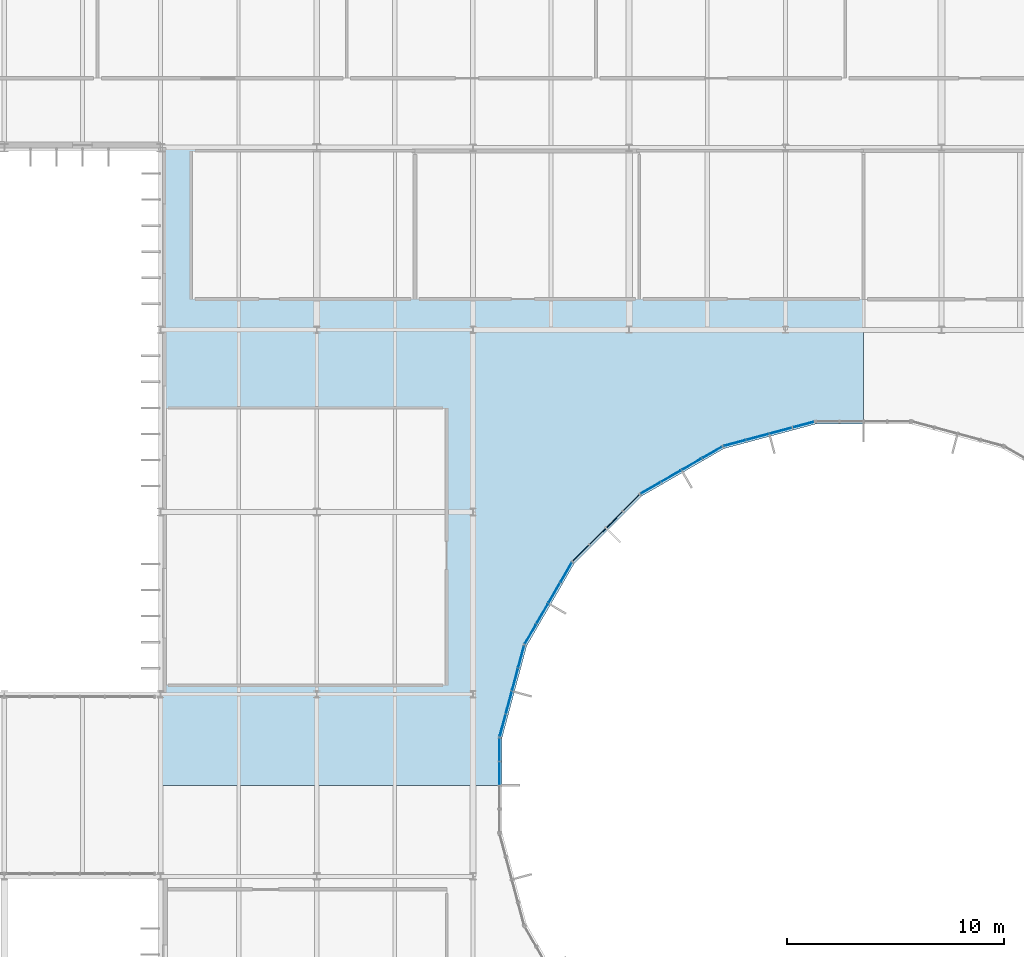
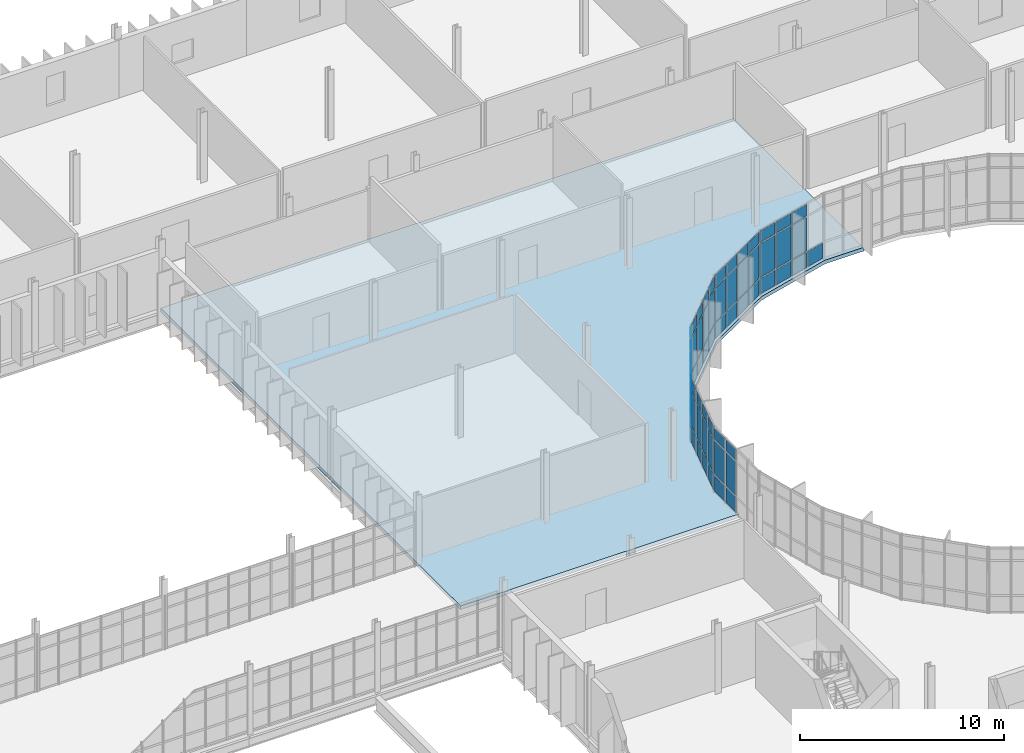
# One storey, part 77 of 119: 64 plates, 1 slab, 6 elements without a shape of their own.
"""IFC4 building model written with IfcOpenShell, lengths in metres."""

from ifc_helpers import new_model, si_unit, direction, frame, origin, origin_2d, place, context, subcontext, project, spatial, polyline, rectangle, outline, extrude, material, layer, layer_set, type_object, element, aggregate, save


model = new_model("IFC4")

# Units and contexts
model_context = context("Model", 3, precision=1e-05, world=origin(), true_north=direction((0.0, 1.0)))
body_context = subcontext(model_context, "Body", "Model", "MODEL_VIEW")
ifc_project = project(units=[si_unit("LENGTHUNIT", "METRE"), si_unit("AREAUNIT", "SQUARE_METRE"), si_unit("VOLUMEUNIT", "CUBIC_METRE"), si_unit("PLANEANGLEUNIT", "RADIAN"), si_unit("MASSUNIT", "GRAM", prefix="KILO")], contexts=[model_context])

# Site, building, storey
site_placement = place(None, origin())
site = spatial("IfcSite", under=ifc_project, at=site_placement, CompositionType="ELEMENT")
building_placement = place(site_placement, origin())
building = spatial("IfcBuilding", under=site, at=building_placement, Name="Qelthora Terrace Specialist Clinic", CompositionType="ELEMENT")
storey_placement = place(building_placement, frame((0.0, 0.0, 4.800048828125)))
storey = spatial("IfcBuildingStorey", under=building, at=storey_placement, Name="L01", CompositionType="ELEMENT", Elevation=4.800048828125)

# Curtain wall, plates
ifc_material_1 = material(Name="Aluminium anodized bronze", Category="aluminium")
curtain_wall_type = type_object("IfcCurtainWallType", Name="CW-CRTE-UPP", PredefinedType="NOTDEFINED", material=ifc_material_1)
curtain_wall_1_placement = place(storey_placement, origin())
curtain_wall_1 = element("IfcCurtainWall", 1, at=curtain_wall_1_placement, inside=storey, type_object=curtain_wall_type, Name="Curtain wall CW-CE-L01-07", PredefinedType="NOTDEFINED")
ifc_material_2 = material(Name="Low-E triple-silver insulating glass", Category="glass")
ifc_layer_1 = layer(ifc_material_2, 0.035888671875)
ifc_layer_set_1 = layer_set([ifc_layer_1], Name="Low-E triple-silver insulating glass")
plate_type = type_object("IfcPlateType", Name="CWP-IGU-36", PredefinedType="CURTAIN_PANEL", material=ifc_layer_set_1)
plate_1_placement = place(storey_placement, frame((123.24658203125, 79.63037109375, 0.0849609375), z_axis=(0.0, 0.0, 1.0), x_axis=(-0.965925826289, -0.258819045103, 0.0)))
plate_1 = element("IfcPlate", 2, at=plate_1_placement, type_object=plate_type, Name="CW-CE-L01-07 glazed panel 1", PredefinedType="CURTAIN_PANEL", context=body_context, shape_type="SweptSolid", body=[
    extrude(rectangle(XDim=0.996337890625, YDim=0.035888671875, at=origin_2d()), origin(), (0.0, 0.0, 1.0), 0.919921875),
])
plate_2_placement = place(storey_placement, frame((122.1875, 79.346435546875, 0.0849609375), z_axis=(0.0, 0.0, 1.0), x_axis=(-0.965925826289, -0.258819045103, 0.0)))
plate_2 = element("IfcPlate", 3, at=plate_2_placement, type_object=plate_type, Name="CW-CE-L01-07 glazed panel 4", PredefinedType="CURTAIN_PANEL", context=body_context, shape_type="SweptSolid", body=[
    extrude(rectangle(XDim=0.996337890625, YDim=0.035888671875, at=origin_2d()), origin(), (0.0, 0.0, 1.0), 0.919921875),
])
plate_3_placement = place(storey_placement, frame((122.1875, 79.346435546875, 1.094970703125), z_axis=(0.0, 0.0, 1.0), x_axis=(-0.965925826289, -0.258819045103, 0.0)))
plate_3 = element("IfcPlate", 4, at=plate_3_placement, type_object=plate_type, Name="CW-CE-L01-07 glazed panel 5", PredefinedType="CURTAIN_PANEL", context=body_context, shape_type="SweptSolid", body=[
    extrude(rectangle(XDim=0.996337890625, YDim=0.035888671875, at=origin_2d()), origin(), (0.0, 0.0, 1.0), 2.0048828125),
])
plate_4_placement = place(storey_placement, frame((122.1875, 79.346435546875, 3.18994140625), z_axis=(0.0, 0.0, 1.0), x_axis=(-0.965925826289, -0.258819045103, 0.0)))
plate_4 = element("IfcPlate", 5, at=plate_4_placement, type_object=plate_type, Name="CW-CE-L01-07 glazed panel 6", PredefinedType="CURTAIN_PANEL", context=body_context, shape_type="SweptSolid", body=[
    extrude(rectangle(XDim=0.996337890625, YDim=0.035888671875, at=origin_2d()), origin(), (0.0, 0.0, 1.0), 0.669921875),
])
plate_5_placement = place(storey_placement, frame((121.12841796875, 79.062744140625, 0.0849609375), z_axis=(0.0, 0.0, 1.0), x_axis=(-0.965925826289, -0.258819045103, 0.0)))
plate_5 = element("IfcPlate", 6, at=plate_5_placement, type_object=plate_type, Name="CW-CE-L01-07 glazed panel 7", PredefinedType="CURTAIN_PANEL", context=body_context, shape_type="SweptSolid", body=[
    extrude(rectangle(XDim=0.996337890625, YDim=0.035888671875, at=origin_2d()), origin(), (0.0, 0.0, 1.0), 0.919921875),
])
plate_6_placement = place(storey_placement, frame((121.12841796875, 79.062744140625, 1.094970703125), z_axis=(0.0, 0.0, 1.0), x_axis=(-0.965925826289, -0.258819045103, 0.0)))
plate_6 = element("IfcPlate", 7, at=plate_6_placement, type_object=plate_type, Name="CW-CE-L01-07 glazed panel 8", PredefinedType="CURTAIN_PANEL", context=body_context, shape_type="SweptSolid", body=[
    extrude(rectangle(XDim=0.996337890625, YDim=0.035888671875, at=origin_2d()), origin(), (0.0, 0.0, 1.0), 2.0048828125),
])
plate_7_placement = place(storey_placement, frame((121.12841796875, 79.062744140625, 3.18994140625), z_axis=(0.0, 0.0, 1.0), x_axis=(-0.965925826289, -0.258819045103, 0.0)))
plate_7 = element("IfcPlate", 8, at=plate_7_placement, type_object=plate_type, Name="CW-CE-L01-07 glazed panel 9", PredefinedType="CURTAIN_PANEL", context=body_context, shape_type="SweptSolid", body=[
    extrude(rectangle(XDim=0.996337890625, YDim=0.035888671875, at=origin_2d()), origin(), (0.0, 0.0, 1.0), 0.669921875),
])
plate_8_placement = place(storey_placement, frame((120.0693359375, 78.779052734375, 0.0849609375), z_axis=(0.0, 0.0, 1.0), x_axis=(-0.965925826289, -0.258819045103, 0.0)))
plate_8 = element("IfcPlate", 9, at=plate_8_placement, type_object=plate_type, Name="CW-CE-L01-07 glazed panel 10", PredefinedType="CURTAIN_PANEL", context=body_context, shape_type="SweptSolid", body=[
    extrude(rectangle(XDim=0.996337890625, YDim=0.035888671875, at=origin_2d()), origin(), (0.0, 0.0, 1.0), 0.919921875),
])
plate_9_placement = place(storey_placement, frame((120.0693359375, 78.779052734375, 1.094970703125), z_axis=(0.0, 0.0, 1.0), x_axis=(-0.965925826289, -0.258819045103, 0.0)))
plate_9 = element("IfcPlate", 10, at=plate_9_placement, type_object=plate_type, Name="CW-CE-L01-07 glazed panel 11", PredefinedType="CURTAIN_PANEL", context=body_context, shape_type="SweptSolid", body=[
    extrude(rectangle(XDim=0.996337890625, YDim=0.035888671875, at=origin_2d()), origin(), (0.0, 0.0, 1.0), 2.0048828125),
])
plate_10_placement = place(storey_placement, frame((120.0693359375, 78.779052734375, 3.18994140625), z_axis=(0.0, 0.0, 1.0), x_axis=(-0.965925826289, -0.258819045103, 0.0)))
plate_10 = element("IfcPlate", 11, at=plate_10_placement, type_object=plate_type, Name="CW-CE-L01-07 glazed panel 12", PredefinedType="CURTAIN_PANEL", context=body_context, shape_type="SweptSolid", body=[
    extrude(rectangle(XDim=0.996337890625, YDim=0.035888671875, at=origin_2d()), origin(), (0.0, 0.0, 1.0), 0.669921875),
])
aggregate(curtain_wall_1, [plate_1, plate_2, plate_3, plate_4, plate_5, plate_6, plate_7, plate_8, plate_9, plate_10])

curtain_wall_2_placement = place(storey_placement, origin())
curtain_wall_2 = element("IfcCurtainWall", 12, at=curtain_wall_2_placement, inside=storey, type_object=curtain_wall_type, Name="Curtain wall CW-CE-L01-08", PredefinedType="NOTDEFINED")
plate_11_placement = place(storey_placement, frame((119.0361328125, 78.35107421875, 0.0849609375), z_axis=(0.0, 0.0, 1.0), x_axis=(-0.866025403784, -0.5, 0.0)))
plate_11 = element("IfcPlate", 13, at=plate_11_placement, type_object=plate_type, Name="CW-CE-L01-08 glazed panel 1", PredefinedType="CURTAIN_PANEL", context=body_context, shape_type="SweptSolid", body=[
    extrude(rectangle(XDim=0.996337890625, YDim=0.035888671875, at=origin_2d()), origin(), (0.0, 0.0, 1.0), 0.919921875),
])
plate_12_placement = place(storey_placement, frame((119.0361328125, 78.35107421875, 1.094970703125), z_axis=(0.0, 0.0, 1.0), x_axis=(-0.866025403784, -0.5, 0.0)))
plate_12 = element("IfcPlate", 14, at=plate_12_placement, type_object=plate_type, Name="CW-CE-L01-08 glazed panel 2", PredefinedType="CURTAIN_PANEL", context=body_context, shape_type="SweptSolid", body=[
    extrude(rectangle(XDim=0.996337890625, YDim=0.035888671875, at=origin_2d()), origin(), (0.0, 0.0, 1.0), 2.0048828125),
])
plate_13_placement = place(storey_placement, frame((119.0361328125, 78.35107421875, 3.18994140625), z_axis=(0.0, 0.0, 1.0), x_axis=(-0.866025403784, -0.5, 0.0)))
plate_13 = element("IfcPlate", 15, at=plate_13_placement, type_object=plate_type, Name="CW-CE-L01-08 glazed panel 3", PredefinedType="CURTAIN_PANEL", context=body_context, shape_type="SweptSolid", body=[
    extrude(rectangle(XDim=0.996337890625, YDim=0.035888671875, at=origin_2d()), origin(), (0.0, 0.0, 1.0), 0.669921875),
])
plate_14_placement = place(storey_placement, frame((118.086669921875, 77.802734375, 0.0849609375), z_axis=(0.0, 0.0, 1.0), x_axis=(-0.866025403784, -0.5, 0.0)))
plate_14 = element("IfcPlate", 16, at=plate_14_placement, type_object=plate_type, Name="CW-CE-L01-08 glazed panel 4", PredefinedType="CURTAIN_PANEL", context=body_context, shape_type="SweptSolid", body=[
    extrude(rectangle(XDim=0.996337890625, YDim=0.035888671875, at=origin_2d()), origin(), (0.0, 0.0, 1.0), 0.919921875),
])
plate_15_placement = place(storey_placement, frame((118.086669921875, 77.802734375, 1.094970703125), z_axis=(0.0, 0.0, 1.0), x_axis=(-0.866025403784, -0.5, 0.0)))
plate_15 = element("IfcPlate", 17, at=plate_15_placement, type_object=plate_type, Name="CW-CE-L01-08 glazed panel 5", PredefinedType="CURTAIN_PANEL", context=body_context, shape_type="SweptSolid", body=[
    extrude(rectangle(XDim=0.996337890625, YDim=0.035888671875, at=origin_2d()), origin(), (0.0, 0.0, 1.0), 2.0048828125),
])
plate_16_placement = place(storey_placement, frame((118.086669921875, 77.802734375, 3.18994140625), z_axis=(0.0, 0.0, 1.0), x_axis=(-0.866025403784, -0.5, 0.0)))
plate_16 = element("IfcPlate", 18, at=plate_16_placement, type_object=plate_type, Name="CW-CE-L01-08 glazed panel 6", PredefinedType="CURTAIN_PANEL", context=body_context, shape_type="SweptSolid", body=[
    extrude(rectangle(XDim=0.996337890625, YDim=0.035888671875, at=origin_2d()), origin(), (0.0, 0.0, 1.0), 0.669921875),
])
plate_17_placement = place(storey_placement, frame((117.13720703125, 77.254638671875, 0.0849609375), z_axis=(0.0, 0.0, 1.0), x_axis=(-0.866025403784, -0.5, 0.0)))
plate_17 = element("IfcPlate", 19, at=plate_17_placement, type_object=plate_type, Name="CW-CE-L01-08 glazed panel 7", PredefinedType="CURTAIN_PANEL", context=body_context, shape_type="SweptSolid", body=[
    extrude(rectangle(XDim=0.996337890625, YDim=0.035888671875, at=origin_2d()), origin(), (0.0, 0.0, 1.0), 0.919921875),
])
plate_18_placement = place(storey_placement, frame((117.13720703125, 77.254638671875, 1.094970703125), z_axis=(0.0, 0.0, 1.0), x_axis=(-0.866025403784, -0.5, 0.0)))
plate_18 = element("IfcPlate", 20, at=plate_18_placement, type_object=plate_type, Name="CW-CE-L01-08 glazed panel 8", PredefinedType="CURTAIN_PANEL", context=body_context, shape_type="SweptSolid", body=[
    extrude(rectangle(XDim=0.996337890625, YDim=0.035888671875, at=origin_2d()), origin(), (0.0, 0.0, 1.0), 2.0048828125),
])
plate_19_placement = place(storey_placement, frame((117.13720703125, 77.254638671875, 3.18994140625), z_axis=(0.0, 0.0, 1.0), x_axis=(-0.866025403784, -0.5, 0.0)))
plate_19 = element("IfcPlate", 21, at=plate_19_placement, type_object=plate_type, Name="CW-CE-L01-08 glazed panel 9", PredefinedType="CURTAIN_PANEL", context=body_context, shape_type="SweptSolid", body=[
    extrude(rectangle(XDim=0.996337890625, YDim=0.035888671875, at=origin_2d()), origin(), (0.0, 0.0, 1.0), 0.669921875),
])
plate_20_placement = place(storey_placement, frame((116.1875, 76.706298828125, 0.0849609375), z_axis=(0.0, 0.0, 1.0), x_axis=(-0.866025403784, -0.5, 0.0)))
plate_20 = element("IfcPlate", 22, at=plate_20_placement, type_object=plate_type, Name="CW-CE-L01-08 glazed panel 10", PredefinedType="CURTAIN_PANEL", context=body_context, shape_type="SweptSolid", body=[
    extrude(rectangle(XDim=0.996337890625, YDim=0.035888671875, at=origin_2d()), origin(), (0.0, 0.0, 1.0), 0.919921875),
])
plate_21_placement = place(storey_placement, frame((116.1875, 76.706298828125, 1.094970703125), z_axis=(0.0, 0.0, 1.0), x_axis=(-0.866025403784, -0.5, 0.0)))
plate_21 = element("IfcPlate", 23, at=plate_21_placement, type_object=plate_type, Name="CW-CE-L01-08 glazed panel 11", PredefinedType="CURTAIN_PANEL", context=body_context, shape_type="SweptSolid", body=[
    extrude(rectangle(XDim=0.996337890625, YDim=0.035888671875, at=origin_2d()), origin(), (0.0, 0.0, 1.0), 2.0048828125),
])
plate_22_placement = place(storey_placement, frame((116.1875, 76.706298828125, 3.18994140625), z_axis=(0.0, 0.0, 1.0), x_axis=(-0.866025403784, -0.5, 0.0)))
plate_22 = element("IfcPlate", 24, at=plate_22_placement, type_object=plate_type, Name="CW-CE-L01-08 glazed panel 12", PredefinedType="CURTAIN_PANEL", context=body_context, shape_type="SweptSolid", body=[
    extrude(rectangle(XDim=0.996337890625, YDim=0.035888671875, at=origin_2d()), origin(), (0.0, 0.0, 1.0), 0.669921875),
])
aggregate(curtain_wall_2, [plate_11, plate_12, plate_13, plate_14, plate_15, plate_16, plate_17, plate_18, plate_19, plate_20, plate_21, plate_22])

curtain_wall_3_placement = place(storey_placement, origin())
curtain_wall_3 = element("IfcCurtainWall", 25, at=curtain_wall_3_placement, inside=storey, type_object=curtain_wall_type, Name="Curtain wall CW-CE-L01-09", PredefinedType="NOTDEFINED")
plate_23_placement = place(storey_placement, frame((115.30029296875, 76.025634765625, 0.0849609375), z_axis=(0.0, 0.0, 1.0), x_axis=(-0.707106781187, -0.707106781187, 0.0)))
plate_23 = element("IfcPlate", 26, at=plate_23_placement, type_object=plate_type, Name="CW-CE-L01-09 glazed panel 1", PredefinedType="CURTAIN_PANEL", context=body_context, shape_type="SweptSolid", body=[
    extrude(rectangle(XDim=0.996337890625, YDim=0.035888671875, at=origin_2d()), origin(), (0.0, 0.0, 1.0), 0.919921875),
])
plate_24_placement = place(storey_placement, frame((115.30029296875, 76.025634765625, 1.094970703125), z_axis=(0.0, 0.0, 1.0), x_axis=(-0.707106781187, -0.707106781187, 0.0)))
plate_24 = element("IfcPlate", 27, at=plate_24_placement, type_object=plate_type, Name="CW-CE-L01-09 glazed panel 2", PredefinedType="CURTAIN_PANEL", context=body_context, shape_type="SweptSolid", body=[
    extrude(rectangle(XDim=0.996337890625, YDim=0.035888671875, at=origin_2d()), origin(), (0.0, 0.0, 1.0), 2.0048828125),
])
plate_25_placement = place(storey_placement, frame((115.30029296875, 76.025634765625, 3.18994140625), z_axis=(0.0, 0.0, 1.0), x_axis=(-0.707106781187, -0.707106781187, 0.0)))
plate_25 = element("IfcPlate", 28, at=plate_25_placement, type_object=plate_type, Name="CW-CE-L01-09 glazed panel 3", PredefinedType="CURTAIN_PANEL", context=body_context, shape_type="SweptSolid", body=[
    extrude(rectangle(XDim=0.996337890625, YDim=0.035888671875, at=origin_2d()), origin(), (0.0, 0.0, 1.0), 0.669921875),
])
plate_26_placement = place(storey_placement, frame((114.525146484375, 75.250244140625, 0.0849609375), z_axis=(0.0, 0.0, 1.0), x_axis=(-0.707106781187, -0.707106781187, 0.0)))
plate_26 = element("IfcPlate", 29, at=plate_26_placement, type_object=plate_type, Name="CW-CE-L01-09 glazed panel 4", PredefinedType="CURTAIN_PANEL", context=body_context, shape_type="SweptSolid", body=[
    extrude(rectangle(XDim=0.996337890625, YDim=0.035888671875, at=origin_2d()), origin(), (0.0, 0.0, 1.0), 0.919921875),
])
plate_27_placement = place(storey_placement, frame((114.525146484375, 75.250244140625, 1.094970703125), z_axis=(0.0, 0.0, 1.0), x_axis=(-0.707106781187, -0.707106781187, 0.0)))
plate_27 = element("IfcPlate", 30, at=plate_27_placement, type_object=plate_type, Name="CW-CE-L01-09 glazed panel 5", PredefinedType="CURTAIN_PANEL", context=body_context, shape_type="SweptSolid", body=[
    extrude(rectangle(XDim=0.996337890625, YDim=0.035888671875, at=origin_2d()), origin(), (0.0, 0.0, 1.0), 2.0048828125),
])
plate_28_placement = place(storey_placement, frame((114.525146484375, 75.250244140625, 3.18994140625), z_axis=(0.0, 0.0, 1.0), x_axis=(-0.707106781187, -0.707106781187, 0.0)))
plate_28 = element("IfcPlate", 31, at=plate_28_placement, type_object=plate_type, Name="CW-CE-L01-09 glazed panel 6", PredefinedType="CURTAIN_PANEL", context=body_context, shape_type="SweptSolid", body=[
    extrude(rectangle(XDim=0.996337890625, YDim=0.035888671875, at=origin_2d()), origin(), (0.0, 0.0, 1.0), 0.669921875),
])
plate_29_placement = place(storey_placement, frame((113.749755859375, 74.474853515625, 0.0849609375), z_axis=(0.0, 0.0, 1.0), x_axis=(-0.707106781187, -0.707106781187, 0.0)))
plate_29 = element("IfcPlate", 32, at=plate_29_placement, type_object=plate_type, Name="CW-CE-L01-09 glazed panel 7", PredefinedType="CURTAIN_PANEL", context=body_context, shape_type="SweptSolid", body=[
    extrude(rectangle(XDim=0.996337890625, YDim=0.035888671875, at=origin_2d()), origin(), (0.0, 0.0, 1.0), 0.919921875),
])
plate_30_placement = place(storey_placement, frame((113.749755859375, 74.474853515625, 1.094970703125), z_axis=(0.0, 0.0, 1.0), x_axis=(-0.707106781187, -0.707106781187, 0.0)))
plate_30 = element("IfcPlate", 33, at=plate_30_placement, type_object=plate_type, Name="CW-CE-L01-09 glazed panel 8", PredefinedType="CURTAIN_PANEL", context=body_context, shape_type="SweptSolid", body=[
    extrude(rectangle(XDim=0.996337890625, YDim=0.035888671875, at=origin_2d()), origin(), (0.0, 0.0, 1.0), 2.0048828125),
])
plate_31_placement = place(storey_placement, frame((113.749755859375, 74.474853515625, 3.18994140625), z_axis=(0.0, 0.0, 1.0), x_axis=(-0.707106781187, -0.707106781187, 0.0)))
plate_31 = element("IfcPlate", 34, at=plate_31_placement, type_object=plate_type, Name="CW-CE-L01-09 glazed panel 9", PredefinedType="CURTAIN_PANEL", context=body_context, shape_type="SweptSolid", body=[
    extrude(rectangle(XDim=0.996337890625, YDim=0.035888671875, at=origin_2d()), origin(), (0.0, 0.0, 1.0), 0.669921875),
])
plate_32_placement = place(storey_placement, frame((112.974365234375, 73.69970703125, 0.0849609375), z_axis=(0.0, 0.0, 1.0), x_axis=(-0.707106781187, -0.707106781187, 0.0)))
plate_32 = element("IfcPlate", 35, at=plate_32_placement, type_object=plate_type, Name="CW-CE-L01-09 glazed panel 10", PredefinedType="CURTAIN_PANEL", context=body_context, shape_type="SweptSolid", body=[
    extrude(rectangle(XDim=0.996337890625, YDim=0.035888671875, at=origin_2d()), origin(), (0.0, 0.0, 1.0), 0.919921875),
])
plate_33_placement = place(storey_placement, frame((112.974365234375, 73.69970703125, 1.094970703125), z_axis=(0.0, 0.0, 1.0), x_axis=(-0.707106781187, -0.707106781187, 0.0)))
plate_33 = element("IfcPlate", 36, at=plate_33_placement, type_object=plate_type, Name="CW-CE-L01-09 glazed panel 11", PredefinedType="CURTAIN_PANEL", context=body_context, shape_type="SweptSolid", body=[
    extrude(rectangle(XDim=0.996337890625, YDim=0.035888671875, at=origin_2d()), origin(), (0.0, 0.0, 1.0), 2.0048828125),
])
plate_34_placement = place(storey_placement, frame((112.974365234375, 73.69970703125, 3.18994140625), z_axis=(0.0, 0.0, 1.0), x_axis=(-0.707106781187, -0.707106781187, 0.0)))
plate_34 = element("IfcPlate", 37, at=plate_34_placement, type_object=plate_type, Name="CW-CE-L01-09 glazed panel 12", PredefinedType="CURTAIN_PANEL", context=body_context, shape_type="SweptSolid", body=[
    extrude(rectangle(XDim=0.996337890625, YDim=0.035888671875, at=origin_2d()), origin(), (0.0, 0.0, 1.0), 0.669921875),
])
aggregate(curtain_wall_3, [plate_23, plate_24, plate_25, plate_26, plate_27, plate_28, plate_29, plate_30, plate_31, plate_32, plate_33, plate_34])

curtain_wall_4_placement = place(storey_placement, origin())
curtain_wall_4 = element("IfcCurtainWall", 38, at=curtain_wall_4_placement, inside=storey, type_object=curtain_wall_type, Name="Curtain wall CW-CE-L01-10", PredefinedType="NOTDEFINED")
plate_35_placement = place(storey_placement, frame((112.293701171875, 72.8125, 0.0849609375), z_axis=(0.0, 0.0, 1.0), x_axis=(-0.5, -0.866025403784, 0.0)))
plate_35 = element("IfcPlate", 39, at=plate_35_placement, type_object=plate_type, Name="CW-CE-L01-10 glazed panel 1", PredefinedType="CURTAIN_PANEL", context=body_context, shape_type="SweptSolid", body=[
    extrude(rectangle(XDim=0.996337890625, YDim=0.035888671875, at=origin_2d()), origin(), (0.0, 0.0, 1.0), 0.919921875),
])
plate_36_placement = place(storey_placement, frame((112.293701171875, 72.8125, 1.094970703125), z_axis=(0.0, 0.0, 1.0), x_axis=(-0.5, -0.866025403784, 0.0)))
plate_36 = element("IfcPlate", 40, at=plate_36_placement, type_object=plate_type, Name="CW-CE-L01-10 glazed panel 2", PredefinedType="CURTAIN_PANEL", context=body_context, shape_type="SweptSolid", body=[
    extrude(rectangle(XDim=0.996337890625, YDim=0.035888671875, at=origin_2d()), origin(), (0.0, 0.0, 1.0), 2.0048828125),
])
plate_37_placement = place(storey_placement, frame((112.293701171875, 72.8125, 3.18994140625), z_axis=(0.0, 0.0, 1.0), x_axis=(-0.5, -0.866025403784, 0.0)))
plate_37 = element("IfcPlate", 41, at=plate_37_placement, type_object=plate_type, Name="CW-CE-L01-10 glazed panel 3", PredefinedType="CURTAIN_PANEL", context=body_context, shape_type="SweptSolid", body=[
    extrude(rectangle(XDim=0.996337890625, YDim=0.035888671875, at=origin_2d()), origin(), (0.0, 0.0, 1.0), 0.669921875),
])
plate_38_placement = place(storey_placement, frame((111.745361328125, 71.86279296875, 0.0849609375), z_axis=(0.0, 0.0, 1.0), x_axis=(-0.5, -0.866025403784, 0.0)))
plate_38 = element("IfcPlate", 42, at=plate_38_placement, type_object=plate_type, Name="CW-CE-L01-10 glazed panel 4", PredefinedType="CURTAIN_PANEL", context=body_context, shape_type="SweptSolid", body=[
    extrude(rectangle(XDim=0.996337890625, YDim=0.035888671875, at=origin_2d()), origin(), (0.0, 0.0, 1.0), 0.919921875),
])
plate_39_placement = place(storey_placement, frame((111.745361328125, 71.86279296875, 1.094970703125), z_axis=(0.0, 0.0, 1.0), x_axis=(-0.5, -0.866025403784, 0.0)))
plate_39 = element("IfcPlate", 43, at=plate_39_placement, type_object=plate_type, Name="CW-CE-L01-10 glazed panel 5", PredefinedType="CURTAIN_PANEL", context=body_context, shape_type="SweptSolid", body=[
    extrude(rectangle(XDim=0.996337890625, YDim=0.035888671875, at=origin_2d()), origin(), (0.0, 0.0, 1.0), 2.0048828125),
])
plate_40_placement = place(storey_placement, frame((111.745361328125, 71.86279296875, 3.18994140625), z_axis=(0.0, 0.0, 1.0), x_axis=(-0.5, -0.866025403784, 0.0)))
plate_40 = element("IfcPlate", 44, at=plate_40_placement, type_object=plate_type, Name="CW-CE-L01-10 glazed panel 6", PredefinedType="CURTAIN_PANEL", context=body_context, shape_type="SweptSolid", body=[
    extrude(rectangle(XDim=0.996337890625, YDim=0.035888671875, at=origin_2d()), origin(), (0.0, 0.0, 1.0), 0.669921875),
])
plate_41_placement = place(storey_placement, frame((111.197265625, 70.913330078125, 0.0849609375), z_axis=(0.0, 0.0, 1.0), x_axis=(-0.5, -0.866025403784, 0.0)))
plate_41 = element("IfcPlate", 45, at=plate_41_placement, type_object=plate_type, Name="CW-CE-L01-10 glazed panel 7", PredefinedType="CURTAIN_PANEL", context=body_context, shape_type="SweptSolid", body=[
    extrude(rectangle(XDim=0.996337890625, YDim=0.035888671875, at=origin_2d()), origin(), (0.0, 0.0, 1.0), 0.919921875),
])
plate_42_placement = place(storey_placement, frame((111.197265625, 70.913330078125, 1.094970703125), z_axis=(0.0, 0.0, 1.0), x_axis=(-0.5, -0.866025403784, 0.0)))
plate_42 = element("IfcPlate", 46, at=plate_42_placement, type_object=plate_type, Name="CW-CE-L01-10 glazed panel 8", PredefinedType="CURTAIN_PANEL", context=body_context, shape_type="SweptSolid", body=[
    extrude(rectangle(XDim=0.996337890625, YDim=0.035888671875, at=origin_2d()), origin(), (0.0, 0.0, 1.0), 2.0048828125),
])
plate_43_placement = place(storey_placement, frame((111.197265625, 70.913330078125, 3.18994140625), z_axis=(0.0, 0.0, 1.0), x_axis=(-0.5, -0.866025403784, 0.0)))
plate_43 = element("IfcPlate", 47, at=plate_43_placement, type_object=plate_type, Name="CW-CE-L01-10 glazed panel 9", PredefinedType="CURTAIN_PANEL", context=body_context, shape_type="SweptSolid", body=[
    extrude(rectangle(XDim=0.996337890625, YDim=0.035888671875, at=origin_2d()), origin(), (0.0, 0.0, 1.0), 0.669921875),
])
plate_44_placement = place(storey_placement, frame((110.64892578125, 69.9638671875, 0.0849609375), z_axis=(0.0, 0.0, 1.0), x_axis=(-0.5, -0.866025403784, 0.0)))
plate_44 = element("IfcPlate", 48, at=plate_44_placement, type_object=plate_type, Name="CW-CE-L01-10 glazed panel 10", PredefinedType="CURTAIN_PANEL", context=body_context, shape_type="SweptSolid", body=[
    extrude(rectangle(XDim=0.996337890625, YDim=0.035888671875, at=origin_2d()), origin(), (0.0, 0.0, 1.0), 0.919921875),
])
plate_45_placement = place(storey_placement, frame((110.64892578125, 69.9638671875, 1.094970703125), z_axis=(0.0, 0.0, 1.0), x_axis=(-0.5, -0.866025403784, 0.0)))
plate_45 = element("IfcPlate", 49, at=plate_45_placement, type_object=plate_type, Name="CW-CE-L01-10 glazed panel 11", PredefinedType="CURTAIN_PANEL", context=body_context, shape_type="SweptSolid", body=[
    extrude(rectangle(XDim=0.996337890625, YDim=0.035888671875, at=origin_2d()), origin(), (0.0, 0.0, 1.0), 2.0048828125),
])
plate_46_placement = place(storey_placement, frame((110.64892578125, 69.9638671875, 3.18994140625), z_axis=(0.0, 0.0, 1.0), x_axis=(-0.5, -0.866025403784, 0.0)))
plate_46 = element("IfcPlate", 50, at=plate_46_placement, type_object=plate_type, Name="CW-CE-L01-10 glazed panel 12", PredefinedType="CURTAIN_PANEL", context=body_context, shape_type="SweptSolid", body=[
    extrude(rectangle(XDim=0.996337890625, YDim=0.035888671875, at=origin_2d()), origin(), (0.0, 0.0, 1.0), 0.669921875),
])
aggregate(curtain_wall_4, [plate_35, plate_36, plate_37, plate_38, plate_39, plate_40, plate_41, plate_42, plate_43, plate_44, plate_45, plate_46])

curtain_wall_5_placement = place(storey_placement, origin())
curtain_wall_5 = element("IfcCurtainWall", 51, at=curtain_wall_5_placement, inside=storey, type_object=curtain_wall_type, Name="Curtain wall CW-CE-L01-11", PredefinedType="NOTDEFINED")
plate_47_placement = place(storey_placement, frame((110.220947265625, 68.9306640625, 0.0849609375), z_axis=(0.0, 0.0, 1.0), x_axis=(-0.258819045103, -0.965925826289, 0.0)))
plate_47 = element("IfcPlate", 52, at=plate_47_placement, type_object=plate_type, Name="CW-CE-L01-11 glazed panel 1", PredefinedType="CURTAIN_PANEL", context=body_context, shape_type="SweptSolid", body=[
    extrude(rectangle(XDim=0.996337890625, YDim=0.035888671875, at=origin_2d()), origin(), (0.0, 0.0, 1.0), 0.919921875),
])
plate_48_placement = place(storey_placement, frame((110.220947265625, 68.9306640625, 1.094970703125), z_axis=(0.0, 0.0, 1.0), x_axis=(-0.258819045103, -0.965925826289, 0.0)))
plate_48 = element("IfcPlate", 53, at=plate_48_placement, type_object=plate_type, Name="CW-CE-L01-11 glazed panel 2", PredefinedType="CURTAIN_PANEL", context=body_context, shape_type="SweptSolid", body=[
    extrude(rectangle(XDim=0.996337890625, YDim=0.035888671875, at=origin_2d()), origin(), (0.0, 0.0, 1.0), 2.0048828125),
])
plate_49_placement = place(storey_placement, frame((110.220947265625, 68.9306640625, 3.18994140625), z_axis=(0.0, 0.0, 1.0), x_axis=(-0.258819045103, -0.965925826289, 0.0)))
plate_49 = element("IfcPlate", 54, at=plate_49_placement, type_object=plate_type, Name="CW-CE-L01-11 glazed panel 3", PredefinedType="CURTAIN_PANEL", context=body_context, shape_type="SweptSolid", body=[
    extrude(rectangle(XDim=0.996337890625, YDim=0.035888671875, at=origin_2d()), origin(), (0.0, 0.0, 1.0), 0.669921875),
])
plate_50_placement = place(storey_placement, frame((109.937255859375, 67.87158203125, 0.0849609375), z_axis=(0.0, 0.0, 1.0), x_axis=(-0.258819045103, -0.965925826289, 0.0)))
plate_50 = element("IfcPlate", 55, at=plate_50_placement, type_object=plate_type, Name="CW-CE-L01-11 glazed panel 4", PredefinedType="CURTAIN_PANEL", context=body_context, shape_type="SweptSolid", body=[
    extrude(rectangle(XDim=0.996337890625, YDim=0.035888671875, at=origin_2d()), origin(), (0.0, 0.0, 1.0), 0.919921875),
])
plate_51_placement = place(storey_placement, frame((109.937255859375, 67.87158203125, 1.094970703125), z_axis=(0.0, 0.0, 1.0), x_axis=(-0.258819045103, -0.965925826289, 0.0)))
plate_51 = element("IfcPlate", 56, at=plate_51_placement, type_object=plate_type, Name="CW-CE-L01-11 glazed panel 5", PredefinedType="CURTAIN_PANEL", context=body_context, shape_type="SweptSolid", body=[
    extrude(rectangle(XDim=0.996337890625, YDim=0.035888671875, at=origin_2d()), origin(), (0.0, 0.0, 1.0), 2.0048828125),
])
plate_52_placement = place(storey_placement, frame((109.937255859375, 67.87158203125, 3.18994140625), z_axis=(0.0, 0.0, 1.0), x_axis=(-0.258819045103, -0.965925826289, 0.0)))
plate_52 = element("IfcPlate", 57, at=plate_52_placement, type_object=plate_type, Name="CW-CE-L01-11 glazed panel 6", PredefinedType="CURTAIN_PANEL", context=body_context, shape_type="SweptSolid", body=[
    extrude(rectangle(XDim=0.996337890625, YDim=0.035888671875, at=origin_2d()), origin(), (0.0, 0.0, 1.0), 0.669921875),
])
plate_53_placement = place(storey_placement, frame((109.653564453125, 66.8125, 0.0849609375), z_axis=(0.0, 0.0, 1.0), x_axis=(-0.258819045103, -0.965925826289, 0.0)))
plate_53 = element("IfcPlate", 58, at=plate_53_placement, type_object=plate_type, Name="CW-CE-L01-11 glazed panel 7", PredefinedType="CURTAIN_PANEL", context=body_context, shape_type="SweptSolid", body=[
    extrude(rectangle(XDim=0.996337890625, YDim=0.035888671875, at=origin_2d()), origin(), (0.0, 0.0, 1.0), 0.919921875),
])
plate_54_placement = place(storey_placement, frame((109.653564453125, 66.8125, 1.094970703125), z_axis=(0.0, 0.0, 1.0), x_axis=(-0.258819045103, -0.965925826289, 0.0)))
plate_54 = element("IfcPlate", 59, at=plate_54_placement, type_object=plate_type, Name="CW-CE-L01-11 glazed panel 8", PredefinedType="CURTAIN_PANEL", context=body_context, shape_type="SweptSolid", body=[
    extrude(rectangle(XDim=0.996337890625, YDim=0.035888671875, at=origin_2d()), origin(), (0.0, 0.0, 1.0), 2.0048828125),
])
plate_55_placement = place(storey_placement, frame((109.653564453125, 66.8125, 3.18994140625), z_axis=(0.0, 0.0, 1.0), x_axis=(-0.258819045103, -0.965925826289, 0.0)))
plate_55 = element("IfcPlate", 60, at=plate_55_placement, type_object=plate_type, Name="CW-CE-L01-11 glazed panel 9", PredefinedType="CURTAIN_PANEL", context=body_context, shape_type="SweptSolid", body=[
    extrude(rectangle(XDim=0.996337890625, YDim=0.035888671875, at=origin_2d()), origin(), (0.0, 0.0, 1.0), 0.669921875),
])
plate_56_placement = place(storey_placement, frame((109.36962890625, 65.75341796875, 0.0849609375), z_axis=(0.0, 0.0, 1.0), x_axis=(-0.258819045103, -0.965925826289, 0.0)))
plate_56 = element("IfcPlate", 61, at=plate_56_placement, type_object=plate_type, Name="CW-CE-L01-11 glazed panel 10", PredefinedType="CURTAIN_PANEL", context=body_context, shape_type="SweptSolid", body=[
    extrude(rectangle(XDim=0.996337890625, YDim=0.035888671875, at=origin_2d()), origin(), (0.0, 0.0, 1.0), 0.919921875),
])
plate_57_placement = place(storey_placement, frame((109.36962890625, 65.75341796875, 1.094970703125), z_axis=(0.0, 0.0, 1.0), x_axis=(-0.258819045103, -0.965925826289, 0.0)))
plate_57 = element("IfcPlate", 62, at=plate_57_placement, type_object=plate_type, Name="CW-CE-L01-11 glazed panel 11", PredefinedType="CURTAIN_PANEL", context=body_context, shape_type="SweptSolid", body=[
    extrude(rectangle(XDim=0.996337890625, YDim=0.035888671875, at=origin_2d()), origin(), (0.0, 0.0, 1.0), 2.0048828125),
])
plate_58_placement = place(storey_placement, frame((109.36962890625, 65.75341796875, 3.18994140625), z_axis=(0.0, 0.0, 1.0), x_axis=(-0.258819045103, -0.965925826289, 0.0)))
plate_58 = element("IfcPlate", 63, at=plate_58_placement, type_object=plate_type, Name="CW-CE-L01-11 glazed panel 12", PredefinedType="CURTAIN_PANEL", context=body_context, shape_type="SweptSolid", body=[
    extrude(rectangle(XDim=0.996337890625, YDim=0.035888671875, at=origin_2d()), origin(), (0.0, 0.0, 1.0), 0.669921875),
])
aggregate(curtain_wall_5, [plate_47, plate_48, plate_49, plate_50, plate_51, plate_52, plate_53, plate_54, plate_55, plate_56, plate_57, plate_58])

curtain_wall_6_placement = place(storey_placement, origin())
curtain_wall_6 = element("IfcCurtainWall", 64, at=curtain_wall_6_placement, inside=storey, type_object=curtain_wall_type, Name="Curtain wall CW-CE-L01-12", PredefinedType="NOTDEFINED")
plate_59_placement = place(storey_placement, frame((109.2236328125, 64.64453125, 0.0849609375), z_axis=(0.0, 0.0, 1.0), x_axis=(0.0, -1.0, 0.0)))
plate_59 = element("IfcPlate", 65, at=plate_59_placement, type_object=plate_type, Name="CW-CE-L01-12 glazed panel 1", PredefinedType="CURTAIN_PANEL", context=body_context, shape_type="SweptSolid", body=[
    extrude(rectangle(XDim=0.996337890625, YDim=0.035888671875, at=origin_2d()), origin(), (0.0, 0.0, 1.0), 0.919921875),
])
plate_60_placement = place(storey_placement, frame((109.2236328125, 64.64453125, 1.094970703125), z_axis=(0.0, 0.0, 1.0), x_axis=(0.0, -1.0, 0.0)))
plate_60 = element("IfcPlate", 66, at=plate_60_placement, type_object=plate_type, Name="CW-CE-L01-12 glazed panel 2", PredefinedType="CURTAIN_PANEL", context=body_context, shape_type="SweptSolid", body=[
    extrude(rectangle(XDim=0.996337890625, YDim=0.035888671875, at=origin_2d()), origin(), (0.0, 0.0, 1.0), 2.0048828125),
])
plate_61_placement = place(storey_placement, frame((109.2236328125, 64.64453125, 3.18994140625), z_axis=(0.0, 0.0, 1.0), x_axis=(0.0, -1.0, 0.0)))
plate_61 = element("IfcPlate", 67, at=plate_61_placement, type_object=plate_type, Name="CW-CE-L01-12 glazed panel 3", PredefinedType="CURTAIN_PANEL", context=body_context, shape_type="SweptSolid", body=[
    extrude(rectangle(XDim=0.996337890625, YDim=0.035888671875, at=origin_2d()), origin(), (0.0, 0.0, 1.0), 0.669921875),
])
plate_62_placement = place(storey_placement, frame((109.2236328125, 63.548095703125, 0.0849609375), z_axis=(0.0, 0.0, 1.0), x_axis=(0.0, -1.0, 0.0)))
plate_62 = element("IfcPlate", 68, at=plate_62_placement, type_object=plate_type, Name="CW-CE-L01-12 glazed panel 4", PredefinedType="CURTAIN_PANEL", context=body_context, shape_type="SweptSolid", body=[
    extrude(rectangle(XDim=0.996337890625, YDim=0.035888671875, at=origin_2d()), origin(), (0.0, 0.0, 1.0), 0.919921875),
])
plate_63_placement = place(storey_placement, frame((109.2236328125, 63.548095703125, 1.094970703125), z_axis=(0.0, 0.0, 1.0), x_axis=(0.0, -1.0, 0.0)))
plate_63 = element("IfcPlate", 69, at=plate_63_placement, type_object=plate_type, Name="CW-CE-L01-12 glazed panel 5", PredefinedType="CURTAIN_PANEL", context=body_context, shape_type="SweptSolid", body=[
    extrude(rectangle(XDim=0.996337890625, YDim=0.035888671875, at=origin_2d()), origin(), (0.0, 0.0, 1.0), 2.0048828125),
])
plate_64_placement = place(storey_placement, frame((109.2236328125, 63.548095703125, 3.18994140625), z_axis=(0.0, 0.0, 1.0), x_axis=(0.0, -1.0, 0.0)))
plate_64 = element("IfcPlate", 70, at=plate_64_placement, type_object=plate_type, Name="CW-CE-L01-12 glazed panel 6", PredefinedType="CURTAIN_PANEL", context=body_context, shape_type="SweptSolid", body=[
    extrude(rectangle(XDim=0.996337890625, YDim=0.035888671875, at=origin_2d()), origin(), (0.0, 0.0, 1.0), 0.669921875),
])
aggregate(curtain_wall_6, [plate_59, plate_60, plate_61, plate_62, plate_63, plate_64])

# Slab
ifc_material_3 = material(Name="Concrete C30/37", Category="concrete")
ifc_layer_2 = layer(ifc_material_3, 0.219970703125)
ifc_layer_set_2 = layer_set([ifc_layer_2], Name="Concrete C30/37")
slab_type = type_object("IfcSlabType", Name="SLB-FLR-220-C30", PredefinedType="FLOOR", material=ifc_layer_set_2)
slab_placement = place(storey_placement, frame((0.0, 0.0, -0.219970703125)))
element("IfcSlab", 71, at=slab_placement, inside=storey, type_object=slab_type, Name="L01 V4 slab SLB-L01-V4-3A", PredefinedType="FLOOR", context=body_context, shape_type="SweptSolid", body=[
    extrude(outline(polyline([(93.60009765625, 92.39990234375), (126.0, 92.39990234375), (126.0, 79.65625), (123.80712890625, 79.65625), (119.57080078125, 78.521240234375), (115.772705078125, 76.328369140625), (112.671630859375, 73.227294921875), (110.478759765625, 69.42919921875), (109.34375, 65.19287109375), (109.34375, 63.0), (93.60009765625, 63.0), (93.60009765625, 92.39990234375)])), origin(), (0.0, 0.0, 1.0), 0.219970703125),
])

save(model, "model.ifc")
